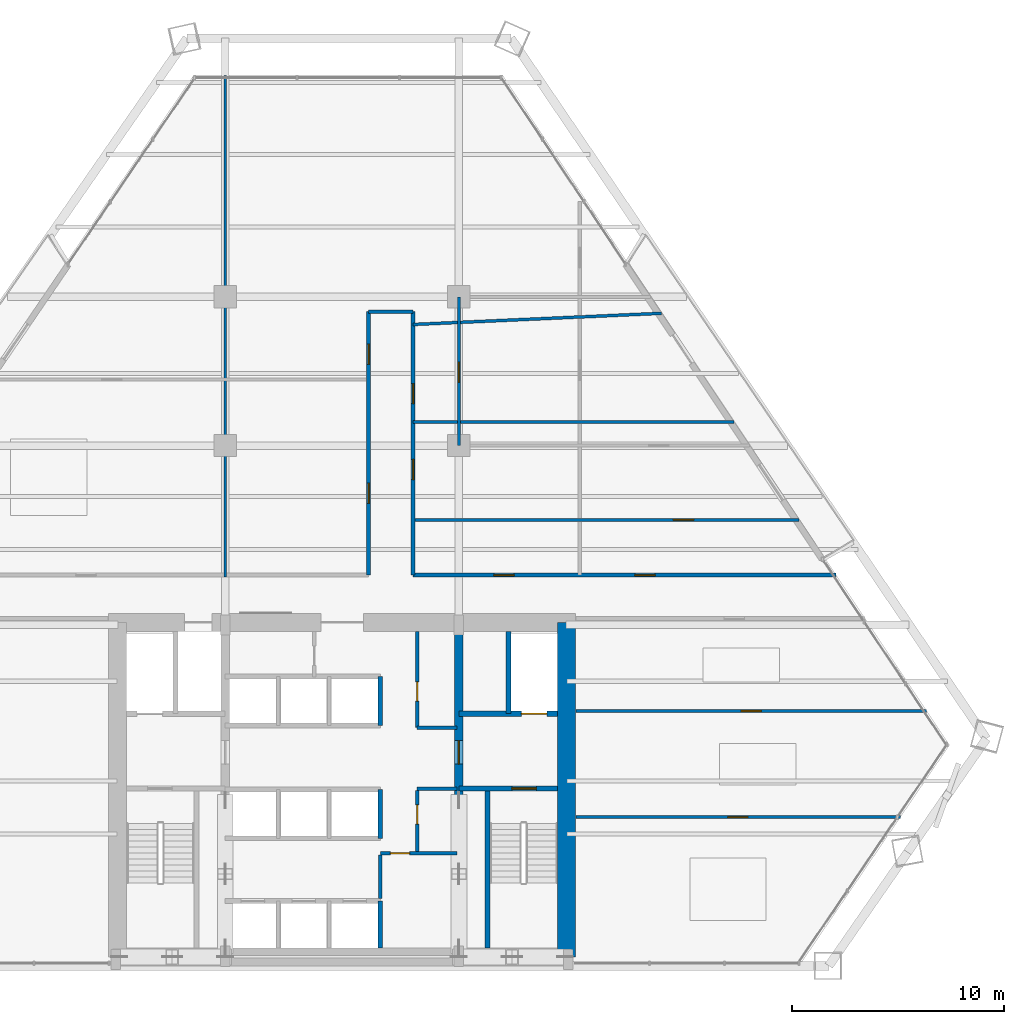
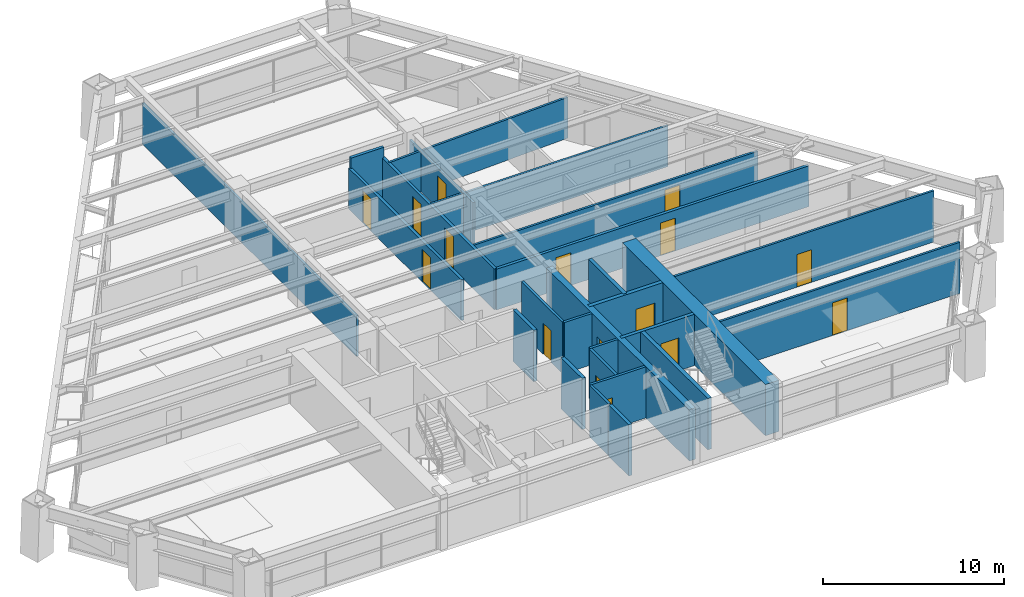
# One storey, part 11 of 14: 26 walls, 16 doors, 16 openings.
"""IFC4 building model written with IfcOpenShell, lengths in metres."""

from ifc_helpers import new_model, si_unit, direction, frame, frame_2d, origin, place, context, subcontext, project, spatial, rectangle, extrude, source, transform, mapped, material, layer, layer_set, type_object, type_shapes, element, fill, save


model = new_model("IFC4")

# Units and contexts
model_context = context("Model", 3, precision=1e-05, world=origin(), true_north=direction((0.0, 1.0)))
body_context = subcontext(model_context, "Body", "Model", "MODEL_VIEW")
ifc_project = project(units=[si_unit("LENGTHUNIT", "METRE"), si_unit("AREAUNIT", "SQUARE_METRE"), si_unit("VOLUMEUNIT", "CUBIC_METRE"), si_unit("PLANEANGLEUNIT", "RADIAN"), si_unit("MASSUNIT", "GRAM", prefix="KILO")], contexts=[model_context])

# Site, building, storey
site_placement = place(None, origin())
site = spatial("IfcSite", under=ifc_project, at=site_placement, CompositionType="ELEMENT")
building_placement = place(site_placement, origin())
building = spatial("IfcBuilding", under=site, at=building_placement, Name="Varnakhor Terracotta Tower", CompositionType="ELEMENT")
storey_placement = place(building_placement, frame((0.0, 0.0, 53.39990234375)))
storey = spatial("IfcBuildingStorey", under=building, at=storey_placement, Name="L12", CompositionType="ELEMENT", Elevation=53.39990234375)

# Wall
ifc_material_1 = material(Name="Concrete C60/75", Category="concrete")
ifc_layer_1 = layer(ifc_material_1, 0.85009765625, Name="Concrete C60/75")
ifc_layer_set_1 = layer_set([ifc_layer_1], Name="Concrete C60/75")
wall_type_1 = type_object("IfcWallType", Name="WAL-CORE-850", PredefinedType="SHEAR", material=ifc_layer_set_1)
wall_1_placement = place(storey_placement, frame((10.574951171875, 0.425048828125, 0.0), z_axis=(0.0, 0.0, 1.0), x_axis=(0.0, 1.0, 0.0)))
element("IfcWall", 1, at=wall_1_placement, inside=storey, type_object=wall_type_1, Name="L12 East Core Shear Wall", PredefinedType="SHEAR", context=body_context, shape_type="SweptSolid", body=[
    extrude(rectangle(XDim=15.75, YDim=0.85009765625, at=frame_2d((7.875, 0.0))), origin(), (0.0, 0.0, 1.0), 3.4501953125),
])

# Wall, opening, door
ifc_material_2 = material(Name="Concrete C50/60", Category="concrete")
ifc_layer_2 = layer(ifc_material_2, 0.39990234375, Name="Concrete C50/60")
ifc_layer_set_2 = layer_set([ifc_layer_2], Name="Concrete C50/60")
wall_type_2 = type_object("IfcWallType", Name="WAL-CORE-WEB-400", PredefinedType="SHEAR", material=ifc_layer_set_2)
wall_2_placement = place(storey_placement, frame((5.5, 0.425048828125, 0.0), z_axis=(0.0, 0.0, 1.0), x_axis=(0.0, 1.0, 0.0)))
wall_2 = element("IfcWall", 2, at=wall_2_placement, inside=storey, type_object=wall_type_2, Name="L12 East Core Web Shear Wall", PredefinedType="SHEAR", context=body_context, shape_type="SweptSolid", body=[
    extrude(rectangle(XDim=15.75, YDim=0.39990234375, at=frame_2d((7.875, 0.0))), origin(), (0.0, 0.0, 1.0), 3.4501953125),
])
opening_1_placement = place(wall_2_placement, frame((9.074951171875, 0.0, 0.0)))
opening_1 = element("IfcOpeningElement", 3, at=opening_1_placement, cuts=wall_2, Name="Opening DR-25", PredefinedType="OPENING", context=body_context, shape_type="SweptSolid", body=[
    extrude(rectangle(XDim=1.10009765625, YDim=2.199951171875, at=frame_2d((0.550048828125, 1.10009765625))), frame((0.0, 0.2099609375, 0.0), z_axis=(0.0, -1.0, 0.0), x_axis=(1.0, 0.0, 0.0)), (0.0, 0.0, 1.0), 0.419921875),
])
ifc_material_3 = material(Name="Firefighting Lobby Self-Closing Fire Door", Category="steel")
door_type_1 = type_object("IfcDoorType", Name="DR-FFL-1100X2200", OperationType="NOTDEFINED", PredefinedType="DOOR", material=ifc_material_3)
shared_shape_1 = source(origin(), body_context, "Body", "SweptSolid", [
    extrude(rectangle(XDim=1.10009765625, YDim=2.199951171875, at=frame_2d((0.550048828125, 1.10009765625))), frame((0.0, 0.02490234375, 0.0), z_axis=(0.0, -1.0, 0.0), x_axis=(1.0, 0.0, 0.0)), (0.0, 0.0, 1.0), 0.050048828125),
])
type_shapes(door_type_1, [shared_shape_1])
door_1_placement = place(opening_1_placement, origin())
door_1 = element("IfcDoor", 4, at=door_1_placement, inside=storey, type_object=door_type_1, Name="L12 East Firefighting Lobby Door", OperationType="SINGLE_SWING_RIGHT", OverallHeight=2.199951171875, OverallWidth=1.10009765625, PredefinedType="DOOR", context=body_context, shape_type="MappedRepresentation", body=[
    mapped(shared_shape_1, transform((0.0, 0.0, 0.0), scale=1.0)),
])
fill(opening_1, door_1)

# Wall, openings, doors
ifc_material_4 = material(Name="Fire-Rated Gypsum Stud Partition", Category="gypsum")
ifc_layer_3 = layer(ifc_material_4, 0.18505859375, Name="Fire-Rated Gypsum Stud Partition")
ifc_layer_set_3 = layer_set([ifc_layer_3], Name="Fire-Rated Gypsum Stud Partition")
wall_type_3 = type_object("IfcWallType", Name="WAL-CORR-185", PredefinedType="PARTITIONING", material=ifc_layer_set_3)
wall_3_placement = place(storey_placement, frame((3.35009765625, 18.39990234375, 0.0), z_axis=(0.0, 0.0, 1.0), x_axis=(1.0, 0.0, 0.0)))
wall_3 = element("IfcWall", 5, at=wall_3_placement, inside=storey, type_object=wall_type_3, Name="L12 Corridor North East Wall", PredefinedType="PARTITIONING", context=body_context, shape_type="SweptSolid", body=[
    extrude(rectangle(XDim=19.907958984375, YDim=0.18505859375, at=frame_2d((9.9541015625, 0.0))), origin(), (0.0, 0.0, 1.0), 2.7470703125),
])
opening_2_placement = place(wall_3_placement, frame((10.4404296875, 0.0, 0.0)))
opening_2 = element("IfcOpeningElement", 6, at=opening_2_placement, cuts=wall_3, Name="Opening DR-94", PredefinedType="OPENING", context=body_context, shape_type="SweptSolid", body=[
    extrude(rectangle(XDim=0.949951171875, YDim=2.199951171875, at=frame_2d((0.47509765625, 1.10009765625))), frame((0.0, 0.1025390625, 0.0), z_axis=(0.0, -1.0, 0.0), x_axis=(1.0, 0.0, 0.0)), (0.0, 0.0, 1.0), 0.205078125),
])
opening_3_placement = place(wall_3_placement, frame((3.802734375, 0.0, 0.0)))
opening_3 = element("IfcOpeningElement", 7, at=opening_3_placement, cuts=wall_3, Name="Opening DR-94", PredefinedType="OPENING", context=body_context, shape_type="SweptSolid", body=[
    extrude(rectangle(XDim=0.949951171875, YDim=2.199951171875, at=frame_2d((0.47509765625, 1.10009765625))), frame((0.0, 0.1025390625, 0.0), z_axis=(0.0, -1.0, 0.0), x_axis=(1.0, 0.0, 0.0)), (0.0, 0.0, 1.0), 0.205078125),
])
ifc_material_5 = material(Name="Acoustic Glazed-Vision Timber Office Door", Category="wood")
door_type_2 = type_object("IfcDoorType", Name="DR-OFF-950X2200", OperationType="NOTDEFINED", PredefinedType="DOOR", material=ifc_material_5)
shared_shape_2 = source(origin(), body_context, "Body", "SweptSolid", [
    extrude(rectangle(XDim=0.949951171875, YDim=2.199951171875, at=frame_2d((0.47509765625, 1.10009765625))), frame((0.0, 0.02490234375, 0.0), z_axis=(0.0, -1.0, 0.0), x_axis=(1.0, 0.0, 0.0)), (0.0, 0.0, 1.0), 0.050048828125),
])
type_shapes(door_type_2, [shared_shape_2])
door_2_placement = place(opening_2_placement, origin())
door_2 = element("IfcDoor", 8, at=door_2_placement, inside=storey, type_object=door_type_2, Name="L12 East Workplace Door", OperationType="SINGLE_SWING_RIGHT", OverallHeight=2.199951171875, OverallWidth=0.949951171875, PredefinedType="DOOR", context=body_context, shape_type="MappedRepresentation", body=[
    mapped(shared_shape_2, transform((0.0, 0.0, 0.0), scale=1.0)),
])
fill(opening_2, door_2)
door_3_placement = place(opening_3_placement, origin())
door_3 = element("IfcDoor", 9, at=door_3_placement, inside=storey, type_object=door_type_2, Name="L12 Archive Office B7 Door", OperationType="SINGLE_SWING_RIGHT", OverallHeight=2.199951171875, OverallWidth=0.949951171875, PredefinedType="DOOR", context=body_context, shape_type="MappedRepresentation", body=[
    mapped(shared_shape_2, transform((0.0, 0.0, 0.0), scale=1.0)),
])
fill(opening_3, door_3)

wall_4_placement = place(storey_placement, frame((1.25, 18.39990234375, 0.0), z_axis=(0.0, 0.0, 1.0), x_axis=(0.0, 1.0, 0.0)))
wall_4 = element("IfcWall", 10, at=wall_4_placement, inside=storey, type_object=wall_type_3, Name="L12 Spine West Wall", PredefinedType="PARTITIONING", context=body_context, shape_type="SweptSolid", body=[
    extrude(rectangle(XDim=12.400146484375, YDim=0.18505859375, at=frame_2d((6.2001953125, 0.0))), origin(), (0.0, 0.0, 1.0), 2.7470703125),
])
opening_4_placement = place(wall_4_placement, frame((3.381103515625, 0.0, 0.0)))
opening_4 = element("IfcOpeningElement", 11, at=opening_4_placement, cuts=wall_4, Name="Opening DR-94", PredefinedType="OPENING", context=body_context, shape_type="SweptSolid", body=[
    extrude(rectangle(XDim=0.949951171875, YDim=2.199951171875, at=frame_2d((0.47509765625, 1.10009765625))), frame((0.0, 0.1025390625, 0.0), z_axis=(0.0, -1.0, 0.0), x_axis=(1.0, 0.0, 0.0)), (0.0, 0.0, 1.0), 0.205078125),
])
opening_5_placement = place(wall_4_placement, frame((9.923095703125, 0.0, 0.0)))
opening_5 = element("IfcOpeningElement", 12, at=opening_5_placement, cuts=wall_4, Name="Opening DR-94", PredefinedType="OPENING", context=body_context, shape_type="SweptSolid", body=[
    extrude(rectangle(XDim=0.949951171875, YDim=2.199951171875, at=frame_2d((0.47509765625, 1.10009765625))), frame((0.0, 0.1025390625, 0.0), z_axis=(0.0, -1.0, 0.0), x_axis=(1.0, 0.0, 0.0)), (0.0, 0.0, 1.0), 0.205078125),
])
door_4_placement = place(opening_4_placement, origin())
door_4 = element("IfcDoor", 13, at=door_4_placement, inside=storey, type_object=door_type_2, Name="L12 Spine West Door", OperationType="SINGLE_SWING_LEFT", OverallHeight=2.199951171875, OverallWidth=0.949951171875, PredefinedType="DOOR", context=body_context, shape_type="MappedRepresentation", body=[
    mapped(shared_shape_2, transform((0.0, 0.0, 0.0), scale=1.0)),
])
fill(opening_4, door_4)
door_5_placement = place(opening_5_placement, origin())
door_5 = element("IfcDoor", 14, at=door_5_placement, inside=storey, type_object=door_type_2, Name="L12 Engineering Office E2 Door", OperationType="SINGLE_SWING_LEFT", OverallHeight=2.199951171875, OverallWidth=0.949951171875, PredefinedType="DOOR", context=body_context, shape_type="MappedRepresentation", body=[
    mapped(shared_shape_2, transform((0.0, 0.0, 0.0), scale=1.0)),
])
fill(opening_5, door_5)

wall_5_placement = place(storey_placement, frame((3.35009765625, 18.39990234375, 0.0), z_axis=(0.0, 0.0, 1.0), x_axis=(0.0, 1.0, 0.0)))
wall_5 = element("IfcWall", 15, at=wall_5_placement, inside=storey, type_object=wall_type_3, Name="L12 Spine East Wall", PredefinedType="PARTITIONING", context=body_context, shape_type="SweptSolid", body=[
    extrude(rectangle(XDim=12.400146484375, YDim=0.18505859375, at=frame_2d((6.2001953125, 0.0))), origin(), (0.0, 0.0, 1.0), 2.7470703125),
])
opening_6_placement = place(wall_5_placement, frame((8.069091796875, 0.0, 0.0)))
opening_6 = element("IfcOpeningElement", 16, at=opening_6_placement, cuts=wall_5, Name="Opening DR-94", PredefinedType="OPENING", context=body_context, shape_type="SweptSolid", body=[
    extrude(rectangle(XDim=0.949951171875, YDim=2.199951171875, at=frame_2d((0.47509765625, 1.10009765625))), frame((0.0, 0.1025390625, 0.0), z_axis=(0.0, -1.0, 0.0), x_axis=(1.0, 0.0, 0.0)), (0.0, 0.0, 1.0), 0.205078125),
])
opening_7_placement = place(wall_5_placement, frame((4.496337890625, 0.0, 0.0)))
opening_7 = element("IfcOpeningElement", 17, at=opening_7_placement, cuts=wall_5, Name="Opening DR-94", PredefinedType="OPENING", context=body_context, shape_type="SweptSolid", body=[
    extrude(rectangle(XDim=0.949951171875, YDim=2.199951171875, at=frame_2d((0.47509765625, 1.10009765625))), frame((0.0, 0.1025390625, 0.0), z_axis=(0.0, -1.0, 0.0), x_axis=(1.0, 0.0, 0.0)), (0.0, 0.0, 1.0), 0.205078125),
])
door_6_placement = place(opening_6_placement, origin())
door_6 = element("IfcDoor", 18, at=door_6_placement, inside=storey, type_object=door_type_2, Name="L12 Spine East Door", OperationType="SINGLE_SWING_RIGHT", OverallHeight=2.199951171875, OverallWidth=0.949951171875, PredefinedType="DOOR", context=body_context, shape_type="MappedRepresentation", body=[
    mapped(shared_shape_2, transform((0.0, 0.0, 0.0), scale=1.0)),
])
fill(opening_6, door_6)
door_7_placement = place(opening_7_placement, origin())
door_7 = element("IfcDoor", 19, at=door_7_placement, inside=storey, type_object=door_type_2, Name="L12 Engineering Office E2 B10 Door", OperationType="SINGLE_SWING_RIGHT", OverallHeight=2.199951171875, OverallWidth=0.949951171875, PredefinedType="DOOR", context=body_context, shape_type="MappedRepresentation", body=[
    mapped(shared_shape_2, transform((0.0, 0.0, 0.0), scale=1.0)),
])
fill(opening_7, door_7)

# Wall
wall_6_placement = place(storey_placement, frame((1.25, 30.800048828125, 0.0), z_axis=(0.0, 0.0, 1.0), x_axis=(1.0, 0.0, 0.0)))
element("IfcWall", 20, at=wall_6_placement, inside=storey, type_object=wall_type_3, Name="L12 Spine North End Wall", PredefinedType="PARTITIONING", context=body_context, shape_type="SweptSolid", body=[
    extrude(rectangle(XDim=2.10009765625, YDim=0.18505859375, at=frame_2d((1.050048828125, 0.0))), origin(), (0.0, 0.0, 1.0), 3.442138671875),
])

# Wall, opening, door
ifc_material_6 = material(Name="Concrete C40/50", Category="concrete")
ifc_layer_4 = layer(ifc_material_6, 0.219970703125, Name="Concrete C40/50")
ifc_layer_set_4 = layer_set([ifc_layer_4], Name="Concrete C40/50")
wall_type_4 = type_object("IfcWallType", Name="WAL-FFLOBBY-220", PredefinedType="SOLIDWALL", material=ifc_layer_set_4)
wall_7_placement = place(storey_placement, frame((10.14990234375, 8.35009765625, 0.0), z_axis=(0.0, 0.0, 1.0), x_axis=(-1.0, 0.0, 0.0)))
wall_7 = element("IfcWall", 21, at=wall_7_placement, inside=storey, type_object=wall_type_4, Name="L12 East Firefighting Lobby Stair Wall", PredefinedType="SOLIDWALL", context=body_context, shape_type="SweptSolid", body=[
    extrude(rectangle(XDim=4.64990234375, YDim=0.219970703125, at=frame_2d((2.324951171875, 0.0))), origin(), (0.0, 0.0, 1.0), 3.4501953125),
])
opening_8_placement = place(wall_7_placement, frame((1.0, 0.0, 0.0)))
opening_8 = element("IfcOpeningElement", 22, at=opening_8_placement, cuts=wall_7, Name="Opening DR-34", PredefinedType="OPENING", context=body_context, shape_type="SweptSolid", body=[
    extrude(rectangle(XDim=1.14990234375, YDim=2.199951171875, at=frame_2d((0.574951171875, 1.10009765625))), frame((0.0, 0.1201171875, 0.0), z_axis=(0.0, -1.0, 0.0), x_axis=(1.0, 0.0, 0.0)), (0.0, 0.0, 1.0), 0.239990234375),
])
ifc_material_7 = material(Name="Self-Closing Smoke-Sealed Steel Fire Door", Category="steel")
door_type_3 = type_object("IfcDoorType", Name="DR-STAIR-1150X2200", OperationType="NOTDEFINED", PredefinedType="DOOR", material=ifc_material_7)
shared_shape_3 = source(origin(), body_context, "Body", "SweptSolid", [
    extrude(rectangle(XDim=1.14990234375, YDim=2.199951171875, at=frame_2d((0.574951171875, 1.10009765625))), frame((0.0, 0.02490234375, 0.0), z_axis=(0.0, -1.0, 0.0), x_axis=(1.0, 0.0, 0.0)), (0.0, 0.0, 1.0), 0.050048828125),
])
type_shapes(door_type_3, [shared_shape_3])
door_8_placement = place(opening_8_placement, origin())
door_8 = element("IfcDoor", 23, at=door_8_placement, inside=storey, type_object=door_type_3, Name="L12 Exit Stair ST-2 Fire Door", OperationType="SINGLE_SWING_LEFT", OverallHeight=2.199951171875, OverallWidth=1.14990234375, PredefinedType="DOOR", context=body_context, shape_type="MappedRepresentation", body=[
    mapped(shared_shape_3, transform((0.0, 0.0, 0.0), scale=1.0)),
])
fill(opening_8, door_8)

# Wall
ifc_material_8 = material(Name="Acoustic Metal-Stud Partition", Category="gypsum")
ifc_layer_5 = layer(ifc_material_8, 0.139892578125, Name="Acoustic Metal-Stud Partition")
ifc_layer_set_5 = layer_set([ifc_layer_5], Name="Acoustic Metal-Stud Partition")
wall_type_5 = type_object("IfcWallType", Name="WAL-PART-140", PredefinedType="PARTITIONING", material=ifc_layer_set_5)
wall_8_placement = place(storey_placement, frame((-5.5, 18.300048828125, 0.0), z_axis=(0.0, 0.0, 1.0), x_axis=(0.0, 1.0, 0.0)))
element("IfcWall", 24, at=wall_8_placement, inside=storey, type_object=wall_type_5, Name="L12 West Full Column Wall", PredefinedType="PARTITIONING", context=body_context, shape_type="SweptSolid", body=[
    extrude(rectangle(XDim=23.6279296875, YDim=0.139892578125, at=frame_2d((11.81396484375, 0.0))), origin(), (0.0, 0.0, 1.0), 2.7470703125),
])

# Wall, opening, door
wall_9_placement = place(storey_placement, frame((5.5, 24.5, 0.0), z_axis=(0.0, 0.0, 1.0), x_axis=(0.0, 1.0, 0.0)))
wall_9 = element("IfcWall", 25, at=wall_9_placement, inside=storey, type_object=wall_type_5, Name="L12 East Mid Link Wall", PredefinedType="PARTITIONING", context=body_context, shape_type="SweptSolid", body=[
    extrude(rectangle(XDim=7.0, YDim=0.139892578125, at=frame_2d((3.5, 0.0))), origin(), (0.0, 0.0, 1.0), 2.7470703125),
])
opening_9_placement = place(wall_9_placement, frame((2.976806640625, 0.0, 0.0)))
opening_9 = element("IfcOpeningElement", 26, at=opening_9_placement, cuts=wall_9, Name="Opening DR-94", PredefinedType="OPENING", context=body_context, shape_type="SweptSolid", body=[
    extrude(rectangle(XDim=0.949951171875, YDim=2.199951171875, at=frame_2d((0.47509765625, 1.10009765625))), frame((0.0, 0.080078125, 0.0), z_axis=(0.0, -1.0, 0.0), x_axis=(1.0, 0.0, 0.0)), (0.0, 0.0, 1.0), 0.159912109375),
])
door_9_placement = place(opening_9_placement, origin())
door_9 = element("IfcDoor", 27, at=door_9_placement, inside=storey, type_object=door_type_2, Name="L12 Archive Office B15 Door", OperationType="SINGLE_SWING_LEFT", OverallHeight=2.199951171875, OverallWidth=0.949951171875, PredefinedType="DOOR", context=body_context, shape_type="MappedRepresentation", body=[
    mapped(shared_shape_2, transform((0.0, 0.0, 0.0), scale=1.0)),
])
fill(opening_9, door_9)

wall_10_placement = place(storey_placement, frame((3.35009765625, 21.0, 0.0), z_axis=(0.0, 0.0, 1.0), x_axis=(1.0, 0.0, 0.0)))
wall_10 = element("IfcWall", 28, at=wall_10_placement, inside=storey, type_object=wall_type_5, Name="L12 East Wing Cut 1", PredefinedType="PARTITIONING", context=body_context, shape_type="SweptSolid", body=[
    extrude(rectangle(XDim=18.173828125, YDim=0.139892578125, at=frame_2d((9.0869140625, 0.0))), origin(), (0.0, 0.0, 1.0), 2.7470703125),
])
opening_10_placement = place(wall_10_placement, frame((12.252197265625, 0.0, 0.0)))
opening_10 = element("IfcOpeningElement", 29, at=opening_10_placement, cuts=wall_10, Name="Opening DR-94", PredefinedType="OPENING", context=body_context, shape_type="SweptSolid", body=[
    extrude(rectangle(XDim=0.949951171875, YDim=2.199951171875, at=frame_2d((0.47509765625, 1.10009765625))), frame((0.0, 0.080078125, 0.0), z_axis=(0.0, -1.0, 0.0), x_axis=(1.0, 0.0, 0.0)), (0.0, 0.0, 1.0), 0.159912109375),
])
door_10_placement = place(opening_10_placement, origin())
door_10 = element("IfcDoor", 30, at=door_10_placement, inside=storey, type_object=door_type_2, Name="L12 Engineering Office E1 B9 Door", OperationType="SINGLE_SWING_LEFT", OverallHeight=2.199951171875, OverallWidth=0.949951171875, PredefinedType="DOOR", context=body_context, shape_type="MappedRepresentation", body=[
    mapped(shared_shape_2, transform((0.0, 0.0, 0.0), scale=1.0)),
])
fill(opening_10, door_10)

# Walls
wall_11_placement = place(storey_placement, frame((3.35009765625, 25.60009765625, 0.0), z_axis=(0.0, 0.0, 1.0), x_axis=(1.0, 0.0, 0.0)))
element("IfcWall", 31, at=wall_11_placement, inside=storey, type_object=wall_type_5, Name="L12 East Wing Cut 2", PredefinedType="PARTITIONING", context=body_context, shape_type="SweptSolid", body=[
    extrude(rectangle(XDim=15.10595703125, YDim=0.139892578125, at=frame_2d((7.552978515625, 0.0))), origin(), (0.0, 0.0, 1.0), 2.7470703125),
])
wall_12_placement = place(storey_placement, frame((3.35009765625, 30.199951171875, 0.0), z_axis=(0.0, 0.0, 1.0), x_axis=(0.99898823837, 0.044972209185, 0.0)))
element("IfcWall", 32, at=wall_12_placement, inside=storey, type_object=wall_type_5, Name="L12 East Wing Cut 3", PredefinedType="PARTITIONING", context=body_context, shape_type="SweptSolid", body=[
    extrude(rectangle(XDim=11.69873046875, YDim=0.139892578125, at=frame_2d((5.849365234375, 0.0))), origin(), (0.0, 0.0, 1.0), 2.7470703125),
])

# Wall, opening, door
wall_13_placement = place(storey_placement, frame((11.02001953125, 7.0, 0.0), z_axis=(0.0, 0.0, 1.0), x_axis=(1.0, 0.0, 0.0)))
wall_13 = element("IfcWall", 33, at=wall_13_placement, inside=storey, type_object=wall_type_5, Name="L12 South East Cut 1", PredefinedType="PARTITIONING", context=body_context, shape_type="SweptSolid", body=[
    extrude(rectangle(XDim=15.266357421875, YDim=0.139892578125, at=frame_2d((7.63330078125, 0.0))), origin(), (0.0, 0.0, 1.0), 3.442138671875),
])
opening_11_placement = place(wall_13_placement, frame((7.145263671875, 0.0, 0.0)))
opening_11 = element("IfcOpeningElement", 34, at=opening_11_placement, cuts=wall_13, Name="Opening DR-94", PredefinedType="OPENING", context=body_context, shape_type="SweptSolid", body=[
    extrude(rectangle(XDim=0.949951171875, YDim=2.199951171875, at=frame_2d((0.47509765625, 1.10009765625))), frame((0.0, 0.080078125, 0.0), z_axis=(0.0, -1.0, 0.0), x_axis=(1.0, 0.0, 0.0)), (0.0, 0.0, 1.0), 0.159912109375),
])
door_11_placement = place(opening_11_placement, origin())
door_11 = element("IfcDoor", 35, at=door_11_placement, inside=storey, type_object=door_type_2, Name="L12 South East Conference Room Door", OperationType="SINGLE_SWING_RIGHT", OverallHeight=2.199951171875, OverallWidth=0.949951171875, PredefinedType="DOOR", context=body_context, shape_type="MappedRepresentation", body=[
    mapped(shared_shape_2, transform((0.0, 0.0, 0.0), scale=1.0)),
])
fill(opening_11, door_11)

wall_14_placement = place(storey_placement, frame((11.02001953125, 12.0, 0.0), z_axis=(0.0, 0.0, 1.0), x_axis=(1.0, 0.0, 0.0)))
wall_14 = element("IfcWall", 36, at=wall_14_placement, inside=storey, type_object=wall_type_5, Name="L12 South East Cut 2", PredefinedType="PARTITIONING", context=body_context, shape_type="SweptSolid", body=[
    extrude(rectangle(XDim=16.506591796875, YDim=0.139892578125, at=frame_2d((8.25341796875, 0.0))), origin(), (0.0, 0.0, 1.0), 3.442138671875),
])
opening_12_placement = place(wall_14_placement, frame((7.76708984375, 0.0, 0.0)))
opening_12 = element("IfcOpeningElement", 37, at=opening_12_placement, cuts=wall_14, Name="Opening DR-94", PredefinedType="OPENING", context=body_context, shape_type="SweptSolid", body=[
    extrude(rectangle(XDim=0.949951171875, YDim=2.199951171875, at=frame_2d((0.47509765625, 1.10009765625))), frame((0.0, 0.080078125, 0.0), z_axis=(0.0, -1.0, 0.0), x_axis=(1.0, 0.0, 0.0)), (0.0, 0.0, 1.0), 0.159912109375),
])
door_12_placement = place(opening_12_placement, origin())
door_12 = element("IfcDoor", 38, at=door_12_placement, inside=storey, type_object=door_type_2, Name="L12 Panorama Conference Room B3 Door", OperationType="SINGLE_SWING_LEFT", OverallHeight=2.199951171875, OverallWidth=0.949951171875, PredefinedType="DOOR", context=body_context, shape_type="MappedRepresentation", body=[
    mapped(shared_shape_2, transform((0.0, 0.0, 0.0), scale=1.0)),
])
fill(opening_12, door_12)

# Walls
ifc_layer_6 = layer(ifc_material_6, 0.219970703125, Name="Concrete C40/50")
ifc_layer_set_6 = layer_set([ifc_layer_6], Name="Concrete C40/50")
wall_type_6 = type_object("IfcWallType", Name="WAL-SHAFT-220", PredefinedType="SOLIDWALL", material=ifc_layer_set_6)
wall_15_placement = place(storey_placement, frame((7.840087890625, 11.8701171875, 0.0), z_axis=(0.0, 0.0, 1.0), x_axis=(0.0, 1.0, 0.0)))
element("IfcWall", 39, at=wall_15_placement, inside=storey, type_object=wall_type_6, Name="L12 Lift FFL-2 and Riser Divider Wall", PredefinedType="SOLIDWALL", context=body_context, shape_type="SweptSolid", body=[
    extrude(rectangle(XDim=3.8798828125, YDim=0.219970703125, at=frame_2d((1.93994140625, 0.0))), origin(), (0.0, 0.0, 1.0), 3.4501953125),
])
wall_16_placement = place(storey_placement, frame((1.800048828125, 0.85009765625, 0.0), z_axis=(0.0, 0.0, 1.0), x_axis=(0.0, 1.0, 0.0)))
element("IfcWall", 40, at=wall_16_placement, inside=storey, type_object=wall_type_6, Name="L12 Bank 1 East Shaft Wall", PredefinedType="SOLIDWALL", context=body_context, shape_type="SweptSolid", body=[
    extrude(rectangle(XDim=2.199951171875, YDim=0.219970703125, at=frame_2d((1.10009765625, 0.0))), origin(), (0.0, 0.0, 1.0), 3.4501953125),
])
for number, where, z_axis, x_axis, name in (
    (41, (1.800048828125, 6.0, 0.0), (0.0, 0.0, 1.0), (0.0, 1.0, 0.0), "L12 Bank 2 East Shaft Wall"),
    (42, (1.800048828125, 11.320068359375, 0.0), (0.0, 0.0, 1.0), (0.0, 1.0, 0.0), "L12 Bank 3 East Shaft Wall"),
):
    element("IfcWall", number, at=place(storey_placement, frame(where, z_axis=z_axis, x_axis=x_axis)), inside=storey, type_object=wall_type_6, Name=name, PredefinedType="SOLIDWALL", context=body_context, shape_type="SweptSolid", body=[
        extrude(rectangle(XDim=2.300048828125, YDim=0.219970703125, at=frame_2d((1.14990234375, 0.0))), origin(), (0.0, 0.0, 1.0), 3.4501953125),
    ])
ifc_layer_7 = layer(ifc_material_6, 0.25, Name="Concrete C40/50")
ifc_layer_set_7 = layer_set([ifc_layer_7], Name="Concrete C40/50")
wall_type_7 = type_object("IfcWallType", Name="WAL-SHAFT-250", PredefinedType="SOLIDWALL", material=ifc_layer_set_7)
wall_17_placement = place(storey_placement, frame((6.85009765625, 0.85009765625, 0.0), z_axis=(0.0, 0.0, 1.0), x_axis=(0.0, 1.0, 0.0)))
element("IfcWall", 43, at=wall_17_placement, inside=storey, type_object=wall_type_7, Name="L12 Stair ST-2 Bearing Shaft Wall", PredefinedType="SOLIDWALL", context=body_context, shape_type="SweptSolid", body=[
    extrude(rectangle(XDim=7.5, YDim=0.25, at=frame_2d((3.75, 0.0))), origin(), (0.0, 0.0, 1.0), 3.4501953125),
])

# Wall, opening, door
wall_18_placement = place(storey_placement, frame((10.14990234375, 11.8701171875, 0.0), z_axis=(0.0, 0.0, 1.0), x_axis=(-1.0, 0.0, 0.0)))
wall_18 = element("IfcWall", 44, at=wall_18_placement, inside=storey, type_object=wall_type_7, Name="L12 Lift FFL-2 Shaft Front Wall", PredefinedType="SOLIDWALL", context=body_context, shape_type="SweptSolid", body=[
    extrude(rectangle(XDim=4.64990234375, YDim=0.25, at=frame_2d((2.324951171875, 0.0))), origin(), (0.0, 0.0, 1.0), 3.4501953125),
])
opening_13_placement = place(wall_18_placement, frame((0.5, 0.0, 0.0)))
opening_13 = element("IfcOpeningElement", 45, at=opening_13_placement, cuts=wall_18, Name="Opening LD-02", PredefinedType="OPENING", context=body_context, shape_type="SweptSolid", body=[
    extrude(rectangle(XDim=1.199951171875, YDim=2.25, at=frame_2d((0.60009765625, 1.125))), frame((0.0, 0.135009765625, 0.0), z_axis=(0.0, -1.0, 0.0), x_axis=(1.0, 0.0, 0.0)), (0.0, 0.0, 1.0), 0.27001953125),
])
ifc_material_9 = material(Name="Firefighting Stretcher Sliding Lift Landing Door", Category="steel")
door_type_4 = type_object("IfcDoorType", Name="LD-FFL-1200X2250", OperationType="NOTDEFINED", PredefinedType="DOOR", material=ifc_material_9)
shared_shape_4 = source(origin(), body_context, "Body", "SweptSolid", [
    extrude(rectangle(XDim=1.199951171875, YDim=2.25, at=frame_2d((0.60009765625, 1.125))), frame((0.0, 0.02490234375, 0.0), z_axis=(0.0, -1.0, 0.0), x_axis=(1.0, 0.0, 0.0)), (0.0, 0.0, 1.0), 0.050048828125),
])
type_shapes(door_type_4, [shared_shape_4])
door_13_placement = place(opening_13_placement, origin())
door_13 = element("IfcDoor", 46, at=door_13_placement, inside=storey, type_object=door_type_4, Name="L12 Firefighting Lift FFL-2 Landing Door", OperationType="SLIDING_TO_RIGHT", OverallHeight=2.25, OverallWidth=1.199951171875, PredefinedType="DOOR", context=body_context, shape_type="MappedRepresentation", body=[
    mapped(shared_shape_4, transform((0.0, 0.0, 0.0), scale=1.0)),
])
fill(opening_13, door_13)

# Wall
ifc_material_10 = material(Name="Acoustic Fire-Rated Partition", Category="gypsum")
ifc_layer_8 = layer(ifc_material_10, 0.1650390625, Name="Acoustic Fire-Rated Partition")
ifc_layer_set_8 = layer_set([ifc_layer_8], Name="Acoustic Fire-Rated Partition")
wall_type_8 = type_object("IfcWallType", Name="WAL-TENANCY-165", PredefinedType="PARTITIONING", material=ifc_layer_set_8)
wall_19_placement = place(storey_placement, frame((1.800048828125, 3.159912109375, 0.0), z_axis=(0.0, 0.0, 1.0), x_axis=(0.0, 1.0, 0.0)))
element("IfcWall", 47, at=wall_19_placement, inside=storey, type_object=wall_type_8, Name="L12 Core South West Return Wall", PredefinedType="PARTITIONING", context=body_context, shape_type="SweptSolid", body=[
    extrude(rectangle(XDim=2.0576171875, YDim=0.1650390625, at=frame_2d((1.02880859375, 0.0))), origin(), (0.0, 0.0, 1.0), 3.442138671875),
])

# Wall, opening, door
wall_20_placement = place(storey_placement, frame((3.5400390625, 5.382568359375, 0.0), z_axis=(0.0, 0.0, 1.0), x_axis=(0.0, 1.0, 0.0)))
wall_20 = element("IfcWall", 48, at=wall_20_placement, inside=storey, type_object=wall_type_8, Name="L12 Core Service Rated Wall", PredefinedType="PARTITIONING", context=body_context, shape_type="SweptSolid", body=[
    extrude(rectangle(XDim=2.875, YDim=0.1650390625, at=frame_2d((1.4375, 0.0))), origin(), (0.0, 0.0, 1.0), 3.442138671875),
])
opening_14_placement = place(wall_20_placement, frame((1.293701171875, 0.0, 0.0)))
opening_14 = element("IfcOpeningElement", 49, at=opening_14_placement, cuts=wall_20, Name="Opening DR-67", PredefinedType="OPENING", context=body_context, shape_type="SweptSolid", body=[
    extrude(rectangle(XDim=0.89990234375, YDim=2.10009765625, at=frame_2d((0.449951171875, 1.050048828125))), frame((0.0, 0.092529296875, 0.0), z_axis=(0.0, -1.0, 0.0), x_axis=(1.0, 0.0, 0.0)), (0.0, 0.0, 1.0), 0.18505859375),
])
ifc_material_11 = material(Name="Steel Service Riser Fire Door", Category="steel")
door_type_5 = type_object("IfcDoorType", Name="DR-RISER-900X2100", OperationType="NOTDEFINED", PredefinedType="DOOR", material=ifc_material_11)
shared_shape_5 = source(origin(), body_context, "Body", "SweptSolid", [
    extrude(rectangle(XDim=0.89990234375, YDim=2.10009765625, at=frame_2d((0.449951171875, 1.050048828125))), frame((0.0, 0.02490234375, 0.0), z_axis=(0.0, -1.0, 0.0), x_axis=(1.0, 0.0, 0.0)), (0.0, 0.0, 1.0), 0.050048828125),
])
type_shapes(door_type_5, [shared_shape_5])
door_14_placement = place(opening_14_placement, origin())
door_14 = element("IfcDoor", 50, at=door_14_placement, inside=storey, type_object=door_type_5, Name="L12 Core Accessible WC Door", OperationType="SINGLE_SWING_RIGHT", OverallHeight=2.10009765625, OverallWidth=0.89990234375, PredefinedType="DOOR", context=body_context, shape_type="MappedRepresentation", body=[
    mapped(shared_shape_5, transform((0.0, 0.0, 0.0), scale=1.0)),
])
fill(opening_14, door_14)

# Wall
wall_21_placement = place(storey_placement, frame((3.5400390625, 8.340087890625, 0.0), z_axis=(0.0, 0.0, 1.0), x_axis=(1.0, 0.0, 0.0)))
element("IfcWall", 51, at=wall_21_placement, inside=storey, type_object=wall_type_8, Name="L12 Accessible WC North Wall", PredefinedType="PARTITIONING", context=body_context, shape_type="SweptSolid", body=[
    extrude(rectangle(XDim=1.8798828125, YDim=0.1650390625, at=frame_2d((0.93994140625, 0.0))), origin(), (0.0, 0.0, 1.0), 3.442138671875),
])

# Wall, opening, door
wall_22_placement = place(storey_placement, frame((1.800048828125, 5.300048828125, 0.0), z_axis=(0.0, 0.0, 1.0), x_axis=(1.0, 0.0, 0.0)))
wall_22 = element("IfcWall", 52, at=wall_22_placement, inside=storey, type_object=wall_type_8, Name="L12 Core South Service Rated Wall", PredefinedType="PARTITIONING", context=body_context, shape_type="SweptSolid", body=[
    extrude(rectangle(XDim=3.619873046875, YDim=0.1650390625, at=frame_2d((1.81005859375, 0.0))), origin(), (0.0, 0.0, 1.0), 3.442138671875),
])
opening_15_placement = place(wall_22_placement, frame((0.47998046875, 0.0, 0.0)))
opening_15 = element("IfcOpeningElement", 53, at=opening_15_placement, cuts=wall_22, Name="Opening DR-67", PredefinedType="OPENING", context=body_context, shape_type="SweptSolid", body=[
    extrude(rectangle(XDim=0.89990234375, YDim=2.10009765625, at=frame_2d((0.449951171875, 1.050048828125))), frame((0.0, 0.092529296875, 0.0), z_axis=(0.0, -1.0, 0.0), x_axis=(1.0, 0.0, 0.0)), (0.0, 0.0, 1.0), 0.18505859375),
])
door_15_placement = place(opening_15_placement, origin())
door_15 = element("IfcDoor", 54, at=door_15_placement, inside=storey, type_object=door_type_5, Name="L12 Core IT Room Door", OperationType="SINGLE_SWING_LEFT", OverallHeight=2.10009765625, OverallWidth=0.89990234375, PredefinedType="DOOR", context=body_context, shape_type="MappedRepresentation", body=[
    mapped(shared_shape_5, transform((0.0, 0.0, 0.0), scale=1.0)),
])
fill(opening_15, door_15)

wall_23_placement = place(storey_placement, frame((3.5400390625, 11.219970703125, 0.0), z_axis=(0.0, 0.0, 1.0), x_axis=(0.0, 1.0, 0.0)))
wall_23 = element("IfcWall", 55, at=wall_23_placement, inside=storey, type_object=wall_type_8, Name="L12 Restroom Corridor Wall", PredefinedType="PARTITIONING", context=body_context, shape_type="SweptSolid", body=[
    extrude(rectangle(XDim=4.530029296875, YDim=0.1650390625, at=frame_2d((2.26513671875, 0.0))), origin(), (0.0, 0.0, 1.0), 3.442138671875),
])
opening_16_placement = place(wall_23_placement, frame((1.25, 0.0, 0.0)))
opening_16 = element("IfcOpeningElement", 56, at=opening_16_placement, cuts=wall_23, Name="Opening DR-67", PredefinedType="OPENING", context=body_context, shape_type="SweptSolid", body=[
    extrude(rectangle(XDim=0.89990234375, YDim=2.10009765625, at=frame_2d((0.449951171875, 1.050048828125))), frame((0.0, 0.092529296875, 0.0), z_axis=(0.0, -1.0, 0.0), x_axis=(1.0, 0.0, 0.0)), (0.0, 0.0, 1.0), 0.18505859375),
])
door_16_placement = place(opening_16_placement, origin())
door_16 = element("IfcDoor", 57, at=door_16_placement, inside=storey, type_object=door_type_5, Name="L12 Female WC Door", OperationType="SINGLE_SWING_RIGHT", OverallHeight=2.10009765625, OverallWidth=0.89990234375, PredefinedType="DOOR", context=body_context, shape_type="MappedRepresentation", body=[
    mapped(shared_shape_5, transform((0.0, 0.0, 0.0), scale=1.0)),
])
fill(opening_16, door_16)

# Wall
wall_24_placement = place(storey_placement, frame((3.5400390625, 11.219970703125, 0.0), z_axis=(0.0, 0.0, 1.0), x_axis=(1.0, 0.0, 0.0)))
element("IfcWall", 58, at=wall_24_placement, inside=storey, type_object=wall_type_8, Name="L12 Restroom South Wall", PredefinedType="PARTITIONING", context=body_context, shape_type="SweptSolid", body=[
    extrude(rectangle(XDim=1.8798828125, YDim=0.1650390625, at=frame_2d((0.93994140625, 0.0))), origin(), (0.0, 0.0, 1.0), 3.442138671875),
])

save(model, "model.ifc")
